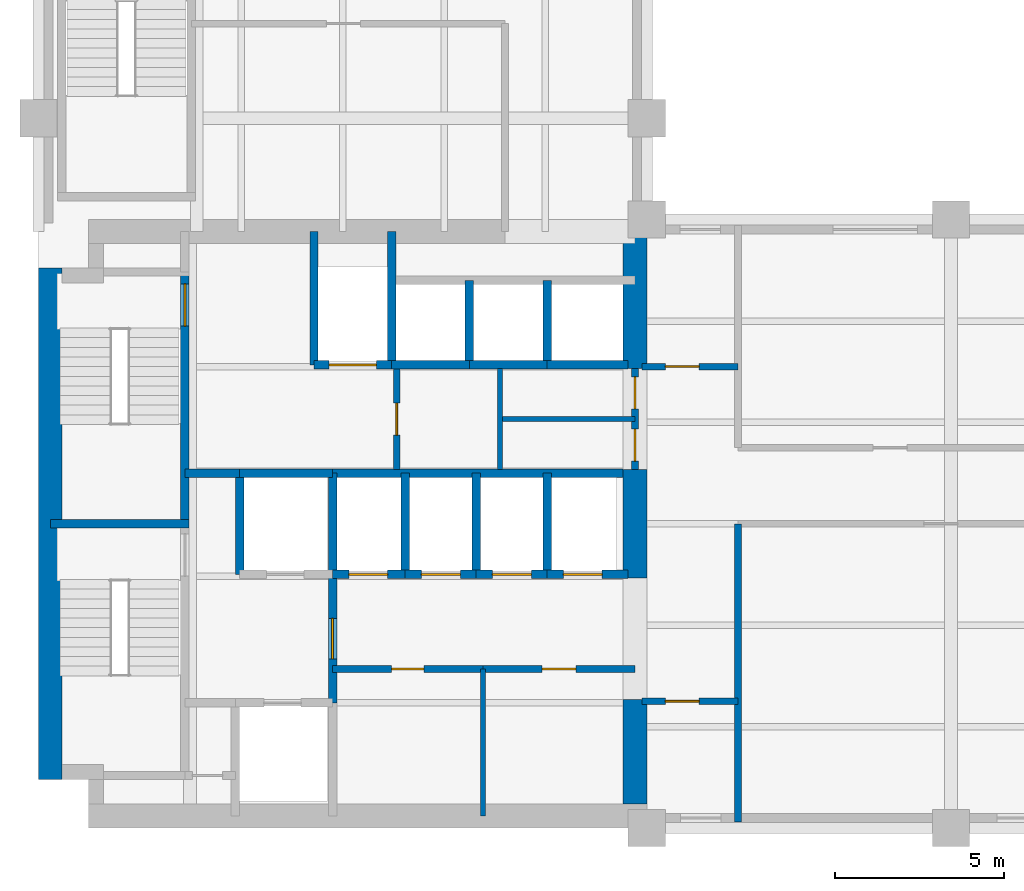
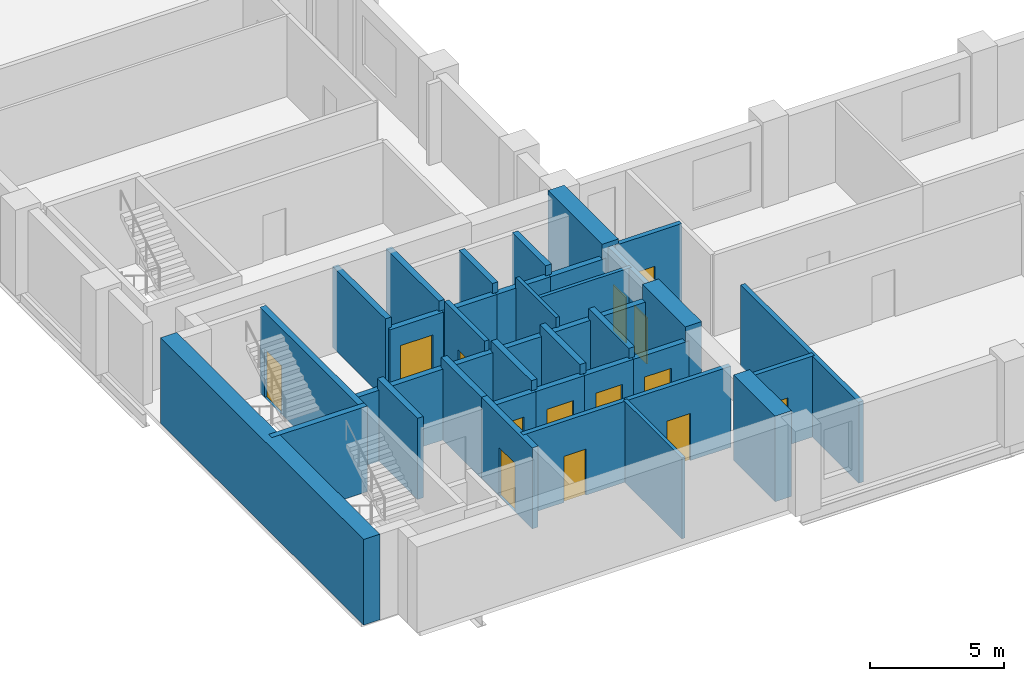
# One storey, part 3 of 7: 37 walls, 14 doors, 14 openings.
"""IFC4 building model written with IfcOpenShell, lengths in metres."""

from ifc_helpers import new_model, si_unit, direction, frame, frame_2d, origin, place, context, subcontext, project, spatial, rectangle, extrude, material, layer, layer_set, type_object, element, fill, save


model = new_model("IFC4")

# Units and contexts
model_context = context("Model", 3, precision=1e-05, world=origin(), true_north=direction((0.0, 1.0)))
body_context = subcontext(model_context, "Body", "Model", "MODEL_VIEW")
ifc_project = project(units=[si_unit("LENGTHUNIT", "METRE"), si_unit("AREAUNIT", "SQUARE_METRE"), si_unit("VOLUMEUNIT", "CUBIC_METRE"), si_unit("PLANEANGLEUNIT", "RADIAN"), si_unit("MASSUNIT", "GRAM", prefix="KILO")], contexts=[model_context])

# Site, building, storey
site_placement = place(None, origin())
site = spatial("IfcSite", under=ifc_project, at=site_placement, CompositionType="ELEMENT")
building_placement = place(site_placement, origin())
building = spatial("IfcBuilding", under=site, at=building_placement, Name="Mawjdan Bourse Tower", CompositionType="ELEMENT")
storey_placement = place(building_placement, frame((0.0, 0.0, 116.699951171875)))
storey = spatial("IfcBuildingStorey", under=building, at=storey_placement, Name="L27", CompositionType="ELEMENT", Elevation=116.699951171875)

# Wall, opening, door
ifc_material_1 = material(Name="Gypsum Fireboard Assembly")
ifc_layer_1 = layer(ifc_material_1, 0.199951171875)
ifc_layer_set_1 = layer_set([ifc_layer_1], Name="Gypsum Fireboard Assembly")
wall_type_1 = type_object("IfcWallType", Name="WL-CMP-200", PredefinedType="PARTITIONING", material=ifc_layer_set_1)
wall_1_placement = place(storey_placement, frame((14.699951171875, 7.699951171875, 0.0), z_axis=(0.0, 0.0, 1.0), x_axis=(1.0, 0.0, 0.0)))
wall_1 = element("IfcWall", 1, at=wall_1_placement, inside=storey, type_object=wall_type_1, Name="L27 Staff Tea Pantry North Wall", PredefinedType="PARTITIONING", context=body_context, shape_type="SweptSolid", body=[
    extrude(rectangle(XDim=4.449951171875, YDim=0.199951171875, at=frame_2d((2.22509765625, 0.0))), origin(), (0.0, 0.0, 1.0), 3.68994140625),
])
opening_1_placement = place(wall_1_placement, frame((1.75, 0.0, 0.0)))
opening_1 = element("IfcOpeningElement", 2, at=opening_1_placement, cuts=wall_1, Name="Opening D-L27-10", PredefinedType="OPENING", context=body_context, shape_type="SweptSolid", body=[
    extrude(rectangle(XDim=0.949951171875, YDim=2.10009765625, at=frame_2d((0.47509765625, 1.050048828125))), frame((0.0, 0.10986328125, 0.0), z_axis=(0.0, -1.0, 0.0), x_axis=(1.0, 0.0, 0.0)), (0.0, 0.0, 1.0), 0.219970703125),
])
ifc_material_2 = material(Name="Moisture-Resistant Laminate Timber", Category="wood")
door_type_1 = type_object("IfcDoorType", Name="DR-WET-0950", OperationType="NOTDEFINED", PredefinedType="DOOR", material=ifc_material_2)
door_1_placement = place(opening_1_placement, origin())
door_1 = element("IfcDoor", 3, at=door_1_placement, inside=storey, type_object=door_type_1, Name="L27 Staff Tea Pantry Door D-L27-10", OperationType="SINGLE_SWING_RIGHT", OverallHeight=2.10009765625, OverallWidth=0.949951171875, PredefinedType="DOOR", context=body_context, shape_type="SweptSolid", body=[
    extrude(rectangle(XDim=0.949951171875, YDim=2.10009765625, at=frame_2d((0.47509765625, 1.050048828125))), frame((0.0, 0.02490234375, 0.0), z_axis=(0.0, -1.0, 0.0), x_axis=(1.0, 0.0, 0.0)), (0.0, 0.0, 1.0), 0.050048828125),
])
fill(opening_1, door_1)

wall_2_placement = place(storey_placement, frame((19.14990234375, 7.699951171875, 0.0), z_axis=(0.0, 0.0, 1.0), x_axis=(1.0, 0.0, 0.0)))
wall_2 = element("IfcWall", 4, at=wall_2_placement, inside=storey, type_object=wall_type_1, Name="L27 Document Custody Office North Wall", PredefinedType="PARTITIONING", context=body_context, shape_type="SweptSolid", body=[
    extrude(rectangle(XDim=4.5, YDim=0.199951171875, at=frame_2d((2.25, 0.0))), origin(), (0.0, 0.0, 1.0), 3.68994140625),
])
opening_2_placement = place(wall_2_placement, frame((1.75, 0.0, 0.0)))
opening_2 = element("IfcOpeningElement", 5, at=opening_2_placement, cuts=wall_2, Name="Opening D-L27-11", PredefinedType="OPENING", context=body_context, shape_type="SweptSolid", body=[
    extrude(rectangle(XDim=1.0, YDim=2.14990234375, at=frame_2d((0.5, 1.074951171875))), frame((0.0, 0.10986328125, 0.0), z_axis=(0.0, -1.0, 0.0), x_axis=(1.0, 0.0, 0.0)), (0.0, 0.0, 1.0), 0.219970703125),
])
ifc_material_3 = material(Name="Hardwood Acoustic Leaf", Category="wood")
door_type_2 = type_object("IfcDoorType", Name="DR-OFC-1000", OperationType="NOTDEFINED", PredefinedType="DOOR", material=ifc_material_3)
door_2_placement = place(opening_2_placement, origin())
door_2 = element("IfcDoor", 6, at=door_2_placement, inside=storey, type_object=door_type_2, Name="L27 Document Custody Office Door D-L27-11", OperationType="SINGLE_SWING_LEFT", OverallHeight=2.14990234375, OverallWidth=1.0, PredefinedType="DOOR", context=body_context, shape_type="SweptSolid", body=[
    extrude(rectangle(XDim=1.0, YDim=2.14990234375, at=frame_2d((0.5, 1.074951171875))), frame((0.0, 0.02490234375, 0.0), z_axis=(0.0, -1.0, 0.0), x_axis=(1.0, 0.0, 0.0)), (0.0, 0.0, 1.0), 0.050048828125),
])
fill(opening_2, door_2)

wall_3_placement = place(storey_placement, frame((16.60009765625, 13.60009765625, 0.0), z_axis=(0.0, 0.0, 1.0), x_axis=(0.0, 1.0, 0.0)))
wall_3 = element("IfcWall", 7, at=wall_3_placement, inside=storey, type_object=wall_type_1, Name="L27 Core Restroom West Wall", PredefinedType="PARTITIONING", context=body_context, shape_type="SweptSolid", body=[
    extrude(rectangle(XDim=3.0, YDim=0.199951171875, at=frame_2d((1.5, 0.0))), origin(), (0.0, 0.0, 1.0), 3.68994140625),
])
opening_3_placement = place(wall_3_placement, frame((1.02001953125, 0.0, 0.0)))
opening_3 = element("IfcOpeningElement", 8, at=opening_3_placement, cuts=wall_3, Name="Opening D-L27-16", PredefinedType="OPENING", context=body_context, shape_type="SweptSolid", body=[
    extrude(rectangle(XDim=0.949951171875, YDim=2.10009765625, at=frame_2d((0.47509765625, 1.050048828125))), frame((0.0, 0.10986328125, 0.0), z_axis=(0.0, -1.0, 0.0), x_axis=(1.0, 0.0, 0.0)), (0.0, 0.0, 1.0), 0.219970703125),
])
door_3_placement = place(opening_3_placement, origin())
door_3 = element("IfcDoor", 9, at=door_3_placement, inside=storey, type_object=door_type_1, Name="L27 Male Restroom Entry Door D-L27-16", OperationType="SINGLE_SWING_RIGHT", OverallHeight=2.10009765625, OverallWidth=0.949951171875, PredefinedType="DOOR", context=body_context, shape_type="SweptSolid", body=[
    extrude(rectangle(XDim=0.949951171875, YDim=2.10009765625, at=frame_2d((0.47509765625, 1.050048828125))), frame((0.0, 0.02490234375, 0.0), z_axis=(0.0, -1.0, 0.0), x_axis=(1.0, 0.0, 0.0)), (0.0, 0.0, 1.0), 0.050048828125),
])
fill(opening_3, door_3)

# Wall, openings, doors
wall_4_placement = place(storey_placement, frame((23.64990234375, 13.60009765625, 0.0), z_axis=(0.0, 0.0, 1.0), x_axis=(0.0, 1.0, 0.0)))
wall_4 = element("IfcWall", 10, at=wall_4_placement, inside=storey, type_object=wall_type_1, Name="L27 Core Restroom East Enclosing Wall", PredefinedType="PARTITIONING", context=body_context, shape_type="SweptSolid", body=[
    extrude(rectangle(XDim=3.0, YDim=0.199951171875, at=frame_2d((1.5, 0.0))), origin(), (0.0, 0.0, 1.0), 3.68994140625),
])
opening_4_placement = place(wall_4_placement, frame((0.25, 0.0, 0.0)))
opening_4 = element("IfcOpeningElement", 11, at=opening_4_placement, cuts=wall_4, Name="Opening D-L27-17", PredefinedType="OPENING", context=body_context, shape_type="SweptSolid", body=[
    extrude(rectangle(XDim=0.949951171875, YDim=2.10009765625, at=frame_2d((0.47509765625, 1.050048828125))), frame((0.0, 0.10986328125, 0.0), z_axis=(0.0, -1.0, 0.0), x_axis=(1.0, 0.0, 0.0)), (0.0, 0.0, 1.0), 0.219970703125),
])
opening_5_placement = place(wall_4_placement, frame((1.800048828125, 0.0, 0.0)))
opening_5 = element("IfcOpeningElement", 12, at=opening_5_placement, cuts=wall_4, Name="Opening D-L27-18", PredefinedType="OPENING", context=body_context, shape_type="SweptSolid", body=[
    extrude(rectangle(XDim=0.949951171875, YDim=2.10009765625, at=frame_2d((0.47509765625, 1.050048828125))), frame((0.0, 0.10986328125, 0.0), z_axis=(0.0, -1.0, 0.0), x_axis=(1.0, 0.0, 0.0)), (0.0, 0.0, 1.0), 0.219970703125),
])
door_4_placement = place(opening_4_placement, origin())
door_4 = element("IfcDoor", 13, at=door_4_placement, inside=storey, type_object=door_type_1, Name="L27 Accessible WC East Entry Door D-L27-17", OperationType="SINGLE_SWING_LEFT", OverallHeight=2.10009765625, OverallWidth=0.949951171875, PredefinedType="DOOR", context=body_context, shape_type="SweptSolid", body=[
    extrude(rectangle(XDim=0.949951171875, YDim=2.10009765625, at=frame_2d((0.47509765625, 1.050048828125))), frame((0.0, 0.02490234375, 0.0), z_axis=(0.0, -1.0, 0.0), x_axis=(1.0, 0.0, 0.0)), (0.0, 0.0, 1.0), 0.050048828125),
])
fill(opening_4, door_4)
door_5_placement = place(opening_5_placement, origin())
door_5 = element("IfcDoor", 14, at=door_5_placement, inside=storey, type_object=door_type_1, Name="L27 Female Restroom East Entry Door D-L27-18", OperationType="SINGLE_SWING_RIGHT", OverallHeight=2.10009765625, OverallWidth=0.949951171875, PredefinedType="DOOR", context=body_context, shape_type="SweptSolid", body=[
    extrude(rectangle(XDim=0.949951171875, YDim=2.10009765625, at=frame_2d((0.47509765625, 1.050048828125))), frame((0.0, 0.02490234375, 0.0), z_axis=(0.0, -1.0, 0.0), x_axis=(1.0, 0.0, 0.0)), (0.0, 0.0, 1.0), 0.050048828125),
])
fill(opening_5, door_5)

# Wall, opening, door
wall_5_placement = place(storey_placement, frame((23.85009765625, 6.75, 0.0), z_axis=(0.0, 0.0, 1.0), x_axis=(1.0, 0.0, 0.0)))
wall_5 = element("IfcWall", 15, at=wall_5_placement, inside=storey, type_object=wall_type_1, Name="L27 West Pocket North Wall", PredefinedType="PARTITIONING", context=body_context, shape_type="SweptSolid", body=[
    extrude(rectangle(XDim=2.849853515625, YDim=0.199951171875, at=frame_2d((1.4248046875, 0.0))), origin(), (0.0, 0.0, 1.0), 3.68994140625),
])
opening_6_placement = place(wall_5_placement, frame((0.699951171875, 0.0, 0.0)))
opening_6 = element("IfcOpeningElement", 16, at=opening_6_placement, cuts=wall_5, Name="Opening D-L27-20", PredefinedType="OPENING", context=body_context, shape_type="SweptSolid", body=[
    extrude(rectangle(XDim=1.0, YDim=2.14990234375, at=frame_2d((0.5, 1.074951171875))), frame((0.0, 0.10986328125, 0.0), z_axis=(0.0, -1.0, 0.0), x_axis=(1.0, 0.0, 0.0)), (0.0, 0.0, 1.0), 0.219970703125),
])
door_6_placement = place(opening_6_placement, origin())
door_6 = element("IfcDoor", 17, at=door_6_placement, inside=storey, type_object=door_type_2, Name="L27 West Pocket Office Door D-L27-20", OperationType="SINGLE_SWING_RIGHT", OverallHeight=2.14990234375, OverallWidth=1.0, PredefinedType="DOOR", context=body_context, shape_type="SweptSolid", body=[
    extrude(rectangle(XDim=1.0, YDim=2.14990234375, at=frame_2d((0.5, 1.074951171875))), frame((0.0, 0.02490234375, 0.0), z_axis=(0.0, -1.0, 0.0), x_axis=(1.0, 0.0, 0.0)), (0.0, 0.0, 1.0), 0.050048828125),
])
fill(opening_6, door_6)

wall_6_placement = place(storey_placement, frame((23.85009765625, 16.64990234375, 0.0), z_axis=(0.0, 0.0, 1.0), x_axis=(1.0, 0.0, 0.0)))
wall_6 = element("IfcWall", 18, at=wall_6_placement, inside=storey, type_object=wall_type_1, Name="L27 West North Pocket Wall", PredefinedType="PARTITIONING", context=body_context, shape_type="SweptSolid", body=[
    extrude(rectangle(XDim=2.849853515625, YDim=0.199951171875, at=frame_2d((1.4248046875, 0.0))), origin(), (0.0, 0.0, 1.0), 3.68994140625),
])
opening_7_placement = place(wall_6_placement, frame((0.699951171875, 0.0, 0.0)))
opening_7 = element("IfcOpeningElement", 19, at=opening_7_placement, cuts=wall_6, Name="Opening D-L27-21", PredefinedType="OPENING", context=body_context, shape_type="SweptSolid", body=[
    extrude(rectangle(XDim=1.0, YDim=2.14990234375, at=frame_2d((0.5, 1.074951171875))), frame((0.0, 0.10986328125, 0.0), z_axis=(0.0, -1.0, 0.0), x_axis=(1.0, 0.0, 0.0)), (0.0, 0.0, 1.0), 0.219970703125),
])
door_7_placement = place(opening_7_placement, origin())
door_7 = element("IfcDoor", 20, at=door_7_placement, inside=storey, type_object=door_type_2, Name="L27 West North Pocket Door D-L27-21", OperationType="SINGLE_SWING_LEFT", OverallHeight=2.14990234375, OverallWidth=1.0, PredefinedType="DOOR", context=body_context, shape_type="SweptSolid", body=[
    extrude(rectangle(XDim=1.0, YDim=2.14990234375, at=frame_2d((0.5, 1.074951171875))), frame((0.0, 0.02490234375, 0.0), z_axis=(0.0, -1.0, 0.0), x_axis=(1.0, 0.0, 0.0)), (0.0, 0.0, 1.0), 0.050048828125),
])
fill(opening_7, door_7)

# Walls
wall_7_placement = place(storey_placement, frame((26.699951171875, 3.179931640625, 0.0), z_axis=(0.0, 0.0, 1.0), x_axis=(0.0, 1.0, 0.0)))
element("IfcWall", 21, at=wall_7_placement, inside=storey, type_object=wall_type_1, Name="L27 Vestibule South East Wall", PredefinedType="PARTITIONING", context=body_context, shape_type="SweptSolid", body=[
    extrude(rectangle(XDim=8.820068359375, YDim=0.199951171875, at=frame_2d((4.41015625, 0.0))), origin(), (0.0, 0.0, 1.0), 3.68994140625),
])
ifc_material_4 = material(Name="Concrete C70/85", Category="concrete")
ifc_layer_2 = layer(ifc_material_4, 0.699951171875)
ifc_layer_set_2 = layer_set([ifc_layer_2], Name="Concrete C70/85")
wall_type_2 = type_object("IfcWallType", Name="WL-CORE-700", PredefinedType="SHEAR", material=ifc_layer_set_2)
wall_8_placement = place(storey_placement, frame((6.35009765625, 4.425048828125, 0.0), z_axis=(0.0, 0.0, 1.0), x_axis=(0.0, 1.0, 0.0)))
element("IfcWall", 22, at=wall_8_placement, inside=storey, type_object=wall_type_2, Name="L27 Rear Core Shear Wall W", PredefinedType="SHEAR", context=body_context, shape_type="SweptSolid", body=[
    extrude(rectangle(XDim=15.14990234375, YDim=0.699951171875, at=frame_2d((7.574951171875, 0.0))), origin(), (0.0, 0.0, 1.0), 3.900146484375),
])
wall_9_placement = place(storey_placement, frame((23.64990234375, 3.699951171875, 0.0), z_axis=(0.0, 0.0, 1.0), x_axis=(0.0, 1.0, 0.0)))
element("IfcWall", 23, at=wall_9_placement, inside=storey, type_object=wall_type_2, Name="L27 Rear Core Shear Wall E1", PredefinedType="SHEAR", context=body_context, shape_type="SweptSolid", body=[
    extrude(rectangle(XDim=3.10009765625, YDim=0.699951171875, at=frame_2d((1.550048828125, 0.0))), origin(), (0.0, 0.0, 1.0), 3.900146484375),
])
wall_10_placement = place(storey_placement, frame((23.64990234375, 10.39990234375, 0.0), z_axis=(0.0, 0.0, 1.0), x_axis=(0.0, 1.0, 0.0)))
element("IfcWall", 24, at=wall_10_placement, inside=storey, type_object=wall_type_2, Name="L27 Rear Core Shear Wall E2", PredefinedType="SHEAR", context=body_context, shape_type="SweptSolid", body=[
    extrude(rectangle(XDim=3.2001953125, YDim=0.699951171875, at=frame_2d((1.60009765625, 0.0))), origin(), (0.0, 0.0, 1.0), 3.900146484375),
])
wall_11_placement = place(storey_placement, frame((23.64990234375, 16.60009765625, 0.0), z_axis=(0.0, 0.0, 1.0), x_axis=(0.0, 1.0, 0.0)))
element("IfcWall", 25, at=wall_11_placement, inside=storey, type_object=wall_type_2, Name="L27 Rear Core Shear Wall E3", PredefinedType="SHEAR", context=body_context, shape_type="SweptSolid", body=[
    extrude(rectangle(XDim=4.0498046875, YDim=0.699951171875, at=frame_2d((2.02490234375, 0.0))), origin(), (0.0, 0.0, 1.0), 3.900146484375),
])
ifc_material_5 = material(Name="Gypsum Acoustic Partition")
ifc_layer_3 = layer(ifc_material_5, 0.14990234375)
ifc_layer_set_3 = layer_set([ifc_layer_3], Name="Gypsum Acoustic Partition")
wall_type_3 = type_object("IfcWallType", Name="WL-PRT-150", PredefinedType="PARTITIONING", material=ifc_layer_set_3)
wall_12_placement = place(storey_placement, frame((19.14990234375, 3.35009765625, 0.0), z_axis=(0.0, 0.0, 1.0), x_axis=(0.0, 1.0, 0.0)))
element("IfcWall", 26, at=wall_12_placement, inside=storey, type_object=wall_type_3, Name="L27 Document Custody Office Core Split Wall", PredefinedType="PARTITIONING", context=body_context, shape_type="SweptSolid", body=[
    extrude(rectangle(XDim=4.349853515625, YDim=0.14990234375, at=frame_2d((2.1748046875, 0.0))), origin(), (0.0, 0.0, 1.0), 3.68994140625),
])
wall_13_placement = place(storey_placement, frame((19.64990234375, 13.60009765625, 0.0), z_axis=(0.0, 0.0, 1.0), x_axis=(0.0, 1.0, 0.0)))
element("IfcWall", 27, at=wall_13_placement, inside=storey, type_object=wall_type_3, Name="L27 Core Restroom Vertical Split", PredefinedType="PARTITIONING", context=body_context, shape_type="SweptSolid", body=[
    extrude(rectangle(XDim=3.0, YDim=0.14990234375, at=frame_2d((1.5, 0.0))), origin(), (0.0, 0.0, 1.0), 3.68994140625),
])
wall_14_placement = place(storey_placement, frame((19.64990234375, 15.10009765625, 0.0), z_axis=(0.0, 0.0, 1.0), x_axis=(1.0, 0.0, 0.0)))
element("IfcWall", 28, at=wall_14_placement, inside=storey, type_object=wall_type_3, Name="L27 Core Restroom East Horizontal Split", PredefinedType="PARTITIONING", context=body_context, shape_type="SweptSolid", body=[
    extrude(rectangle(XDim=4.0, YDim=0.14990234375, at=frame_2d((2.0, 0.0))), origin(), (0.0, 0.0, 1.0), 3.68994140625),
])
ifc_material_6 = material(Name="Concrete C50/60", Category="concrete")
ifc_layer_4 = layer(ifc_material_6, 0.25)
ifc_layer_set_4 = layer_set([ifc_layer_4], Name="Concrete C50/60")
wall_type_4 = type_object("IfcWallType", Name="WL-SHFT-250", PredefinedType="PARTITIONING", material=ifc_layer_set_4)
wall_15_placement = place(storey_placement, frame((11.949951171875, 10.5, 0.0), z_axis=(0.0, 0.0, 1.0), x_axis=(0.0, 1.0, 0.0)))
element("IfcWall", 29, at=wall_15_placement, inside=storey, type_object=wall_type_4, Name="L27 FFL-02 West Shaft Wall", PredefinedType="PARTITIONING", context=body_context, shape_type="SweptSolid", body=[
    extrude(rectangle(XDim=3.0, YDim=0.25, at=frame_2d((1.5, 0.0))), origin(), (0.0, 0.0, 1.0), 3.68994140625),
])
wall_16_placement = place(storey_placement, frame((11.949951171875, 13.5, 0.0), z_axis=(0.0, 0.0, 1.0), x_axis=(1.0, 0.0, 0.0)))
element("IfcWall", 30, at=wall_16_placement, inside=storey, type_object=wall_type_4, Name="L27 FFL-02 North Shaft Wall", PredefinedType="PARTITIONING", context=body_context, shape_type="SweptSolid", body=[
    extrude(rectangle(XDim=2.75, YDim=0.25, at=frame_2d((1.375, 0.0))), origin(), (0.0, 0.0, 1.0), 3.22705078125),
])
wall_17_placement = place(storey_placement, frame((14.699951171875, 10.5, 0.0), z_axis=(0.0, 0.0, 1.0), x_axis=(0.0, 1.0, 0.0)))
element("IfcWall", 31, at=wall_17_placement, inside=storey, type_object=wall_type_4, Name="L27 FFL-02 East Shaft Wall", PredefinedType="PARTITIONING", context=body_context, shape_type="SweptSolid", body=[
    extrude(rectangle(XDim=3.0, YDim=0.25, at=frame_2d((1.5, 0.0))), origin(), (0.0, 0.0, 1.0), 3.68994140625),
])

# Wall, opening, door
wall_18_placement = place(storey_placement, frame((14.699951171875, 6.699951171875, 0.0), z_axis=(0.0, 0.0, 1.0), x_axis=(0.0, 1.0, 0.0)))
wall_18 = element("IfcWall", 32, at=wall_18_placement, inside=storey, type_object=wall_type_4, Name="L27 Firefighting Lobby East Compartment Wall", PredefinedType="PARTITIONING", context=body_context, shape_type="SweptSolid", body=[
    extrude(rectangle(XDim=3.800048828125, YDim=0.25, at=frame_2d((1.89990234375, 0.0))), origin(), (0.0, 0.0, 1.0), 3.68994140625),
])
opening_8_placement = place(wall_18_placement, frame((1.300048828125, 0.0, 0.0)))
opening_8 = element("IfcOpeningElement", 33, at=opening_8_placement, cuts=wall_18, Name="Opening FD-L27-07", PredefinedType="OPENING", context=body_context, shape_type="SweptSolid", body=[
    extrude(rectangle(XDim=1.199951171875, YDim=2.199951171875, at=frame_2d((0.60009765625, 1.10009765625))), frame((0.0, 0.135009765625, 0.0), z_axis=(0.0, -1.0, 0.0), x_axis=(1.0, 0.0, 0.0)), (0.0, 0.0, 1.0), 0.27001953125),
])
ifc_material_7 = material(Name="Fire-Rated Steel Leaf", Category="steel")
door_type_3 = type_object("IfcDoorType", Name="FD-FFL-1200", OperationType="NOTDEFINED", PredefinedType="DOOR", material=ifc_material_7)
door_8_placement = place(opening_8_placement, origin())
door_8 = element("IfcDoor", 34, at=door_8_placement, inside=storey, type_object=door_type_3, Name="L27 Firefighting Lobby East Smoke Door FD-L27-07", OperationType="SINGLE_SWING_RIGHT", OverallHeight=2.199951171875, OverallWidth=1.199951171875, PredefinedType="DOOR", context=body_context, shape_type="SweptSolid", body=[
    extrude(rectangle(XDim=1.199951171875, YDim=2.199951171875, at=frame_2d((0.60009765625, 1.10009765625))), frame((0.0, 0.02490234375, 0.0), z_axis=(0.0, -1.0, 0.0), x_axis=(1.0, 0.0, 0.0)), (0.0, 0.0, 1.0), 0.050048828125),
])
fill(opening_8, door_8)

# Wall
wall_19_placement = place(storey_placement, frame((10.330078125, 13.5, 0.0), z_axis=(0.0, 0.0, 1.0), x_axis=(1.0, 0.0, 0.0)))
element("IfcWall", 35, at=wall_19_placement, inside=storey, type_object=wall_type_4, Name="L27 Firefighting Lobby North Compartment Wall", PredefinedType="PARTITIONING", context=body_context, shape_type="SweptSolid", body=[
    extrude(rectangle(XDim=1.619873046875, YDim=0.25, at=frame_2d((0.81005859375, 0.0))), origin(), (0.0, 0.0, 1.0), 3.22705078125),
])

# Wall, opening, door
wall_20_placement = place(storey_placement, frame((14.14990234375, 16.699951171875, 0.0), z_axis=(0.0, 0.0, 1.0), x_axis=(1.0, 0.0, 0.0)))
wall_20 = element("IfcWall", 36, at=wall_20_placement, inside=storey, type_object=wall_type_4, Name="L27 SVL-01 Front Shaft Wall", PredefinedType="PARTITIONING", context=body_context, shape_type="SweptSolid", body=[
    extrude(rectangle(XDim=2.300048828125, YDim=0.25, at=frame_2d((1.14990234375, 0.0))), origin(), (0.0, 0.0, 1.0), 3.22705078125),
])
opening_9_placement = place(wall_20_placement, frame((0.449951171875, 0.0, 0.0)))
opening_9 = element("IfcOpeningElement", 37, at=opening_9_placement, cuts=wall_20, Name="Opening LD-L27-09", PredefinedType="OPENING", context=body_context, shape_type="SweptSolid", body=[
    extrude(rectangle(XDim=1.39990234375, YDim=2.35009765625, at=frame_2d((0.699951171875, 1.175048828125))), frame((0.0, 0.135009765625, 0.0), z_axis=(0.0, -1.0, 0.0), x_axis=(1.0, 0.0, 0.0)), (0.0, 0.0, 1.0), 0.27001953125),
])
ifc_material_8 = material(Name="Heavy-Duty Stainless Steel", Category="steel")
door_type_4 = type_object("IfcDoorType", Name="LD-SRV-1400", OperationType="DOUBLE_DOOR_SLIDING", PredefinedType="DOOR", material=ifc_material_8)
door_9_placement = place(opening_9_placement, origin())
door_9 = element("IfcDoor", 38, at=door_9_placement, inside=storey, type_object=door_type_4, Name="L27 Service Lift SVL-01 Landing Door LD-L27-09", OperationType="DOUBLE_DOOR_SLIDING", OverallHeight=2.35009765625, OverallWidth=1.39990234375, PredefinedType="DOOR", context=body_context, shape_type="SweptSolid", body=[
    extrude(rectangle(XDim=1.39990234375, YDim=2.35009765625, at=frame_2d((0.699951171875, 1.175048828125))), frame((0.0, 0.02490234375, 0.0), z_axis=(0.0, -1.0, 0.0), x_axis=(1.0, 0.0, 0.0)), (0.0, 0.0, 1.0), 0.050048828125),
])
fill(opening_9, door_9)

# Walls
for number, where, z_axis, x_axis, name in (
    (39, (14.14990234375, 16.699951171875, 0.0), (0.0, 0.0, 1.0), (0.0, 1.0, 0.0), "L27 SVL-01 West Shaft Wall"),
    (40, (16.449951171875, 16.699951171875, 0.0), (0.0, 0.0, 1.0), (0.0, 1.0, 0.0), "L27 SVL-01 East Shaft Wall"),
):
    element("IfcWall", number, at=place(storey_placement, frame(where, z_axis=z_axis, x_axis=x_axis)), inside=storey, type_object=wall_type_4, Name=name, PredefinedType="PARTITIONING", context=body_context, shape_type="SweptSolid", body=[
        extrude(rectangle(XDim=3.949951171875, YDim=0.25, at=frame_2d((1.97509765625, 0.0))), origin(), (0.0, 0.0, 1.0), 3.68994140625),
    ])
wall_21_placement = place(storey_placement, frame((16.449951171875, 16.699951171875, 0.0), z_axis=(0.0, 0.0, 1.0), x_axis=(1.0, 0.0, 0.0)))
element("IfcWall", 41, at=wall_21_placement, inside=storey, type_object=wall_type_4, Name="L27 PH-01 Front Wall", PredefinedType="PARTITIONING", context=body_context, shape_type="SweptSolid", body=[
    extrude(rectangle(XDim=2.300048828125, YDim=0.25, at=frame_2d((1.14990234375, 0.0))), origin(), (0.0, 0.0, 1.0), 3.22705078125),
])
wall_22_placement = place(storey_placement, frame((18.75, 16.699951171875, 0.0), z_axis=(0.0, 0.0, 1.0), x_axis=(0.0, 1.0, 0.0)))
element("IfcWall", 42, at=wall_22_placement, inside=storey, type_object=wall_type_4, Name="L27 PH-01 Divider Wall", PredefinedType="PARTITIONING", context=body_context, shape_type="SweptSolid", body=[
    extrude(rectangle(XDim=2.5, YDim=0.25, at=frame_2d((1.25, 0.0))), origin(), (0.0, 0.0, 1.0), 3.68994140625),
])
wall_23_placement = place(storey_placement, frame((18.75, 16.699951171875, 0.0), z_axis=(0.0, 0.0, 1.0), x_axis=(1.0, 0.0, 0.0)))
element("IfcWall", 43, at=wall_23_placement, inside=storey, type_object=wall_type_4, Name="L27 PH-02 Front Wall", PredefinedType="PARTITIONING", context=body_context, shape_type="SweptSolid", body=[
    extrude(rectangle(XDim=2.300048828125, YDim=0.25, at=frame_2d((1.14990234375, 0.0))), origin(), (0.0, 0.0, 1.0), 3.22705078125),
])
wall_24_placement = place(storey_placement, frame((21.050048828125, 16.699951171875, 0.0), z_axis=(0.0, 0.0, 1.0), x_axis=(0.0, 1.0, 0.0)))
element("IfcWall", 44, at=wall_24_placement, inside=storey, type_object=wall_type_4, Name="L27 PH-02 Divider Wall", PredefinedType="PARTITIONING", context=body_context, shape_type="SweptSolid", body=[
    extrude(rectangle(XDim=2.5, YDim=0.25, at=frame_2d((1.25, 0.0))), origin(), (0.0, 0.0, 1.0), 3.68994140625),
])
wall_25_placement = place(storey_placement, frame((21.050048828125, 16.699951171875, 0.0), z_axis=(0.0, 0.0, 1.0), x_axis=(1.0, 0.0, 0.0)))
element("IfcWall", 45, at=wall_25_placement, inside=storey, type_object=wall_type_4, Name="L27 PH-03 Front Wall", PredefinedType="PARTITIONING", context=body_context, shape_type="SweptSolid", body=[
    extrude(rectangle(XDim=2.39990234375, YDim=0.25, at=frame_2d((1.199951171875, 0.0))), origin(), (0.0, 0.0, 1.0), 3.22705078125),
])

# Wall, opening, door
wall_26_placement = place(storey_placement, frame((14.699951171875, 10.5, 0.0), z_axis=(0.0, 0.0, 1.0), x_axis=(1.0, 0.0, 0.0)))
wall_26 = element("IfcWall", 46, at=wall_26_placement, inside=storey, type_object=wall_type_4, Name="L27 PM-01 Front Wall", PredefinedType="PARTITIONING", context=body_context, shape_type="SweptSolid", body=[
    extrude(rectangle(XDim=2.150146484375, YDim=0.25, at=frame_2d((1.0751953125, 0.0))), origin(), (0.0, 0.0, 1.0), 3.22705078125),
])
opening_10_placement = place(wall_26_placement, frame((0.47998046875, 0.0, 0.0)))
opening_10 = element("IfcOpeningElement", 47, at=opening_10_placement, cuts=wall_26, Name="Opening LD-L27-12", PredefinedType="OPENING", context=body_context, shape_type="SweptSolid", body=[
    extrude(rectangle(XDim=1.14990234375, YDim=2.25, at=frame_2d((0.574951171875, 1.125))), frame((0.0, 0.135009765625, 0.0), z_axis=(0.0, -1.0, 0.0), x_axis=(1.0, 0.0, 0.0)), (0.0, 0.0, 1.0), 0.27001953125),
])
ifc_material_9 = material(Name="Brushed Stainless Steel", Category="steel")
door_type_5 = type_object("IfcDoorType", Name="LD-PAS-1150", OperationType="DOUBLE_DOOR_SLIDING", PredefinedType="DOOR", material=ifc_material_9)
door_10_placement = place(opening_10_placement, origin())
door_10 = element("IfcDoor", 48, at=door_10_placement, inside=storey, type_object=door_type_5, Name="L27 Lift PM-01 Landing Door LD-L27-12", OperationType="DOUBLE_DOOR_SLIDING", OverallHeight=2.25, OverallWidth=1.14990234375, PredefinedType="DOOR", context=body_context, shape_type="SweptSolid", body=[
    extrude(rectangle(XDim=1.14990234375, YDim=2.25, at=frame_2d((0.574951171875, 1.125))), frame((0.0, 0.02490234375, 0.0), z_axis=(0.0, -1.0, 0.0), x_axis=(1.0, 0.0, 0.0)), (0.0, 0.0, 1.0), 0.050048828125),
])
fill(opening_10, door_10)

# Wall
wall_27_placement = place(storey_placement, frame((16.85009765625, 10.5, 0.0), z_axis=(0.0, 0.0, 1.0), x_axis=(0.0, 1.0, 0.0)))
element("IfcWall", 49, at=wall_27_placement, inside=storey, type_object=wall_type_4, Name="L27 PM-01 Divider Wall", PredefinedType="PARTITIONING", context=body_context, shape_type="SweptSolid", body=[
    extrude(rectangle(XDim=3.0, YDim=0.25, at=frame_2d((1.5, 0.0))), origin(), (0.0, 0.0, 1.0), 3.68994140625),
])

# Wall, opening, door
wall_28_placement = place(storey_placement, frame((16.85009765625, 10.5, 0.0), z_axis=(0.0, 0.0, 1.0), x_axis=(1.0, 0.0, 0.0)))
wall_28 = element("IfcWall", 50, at=wall_28_placement, inside=storey, type_object=wall_type_4, Name="L27 PM-02 Front Wall", PredefinedType="PARTITIONING", context=body_context, shape_type="SweptSolid", body=[
    extrude(rectangle(XDim=2.099853515625, YDim=0.25, at=frame_2d((1.0498046875, 0.0))), origin(), (0.0, 0.0, 1.0), 3.22705078125),
])
opening_11_placement = place(wall_28_placement, frame((0.47998046875, 0.0, 0.0)))
opening_11 = element("IfcOpeningElement", 51, at=opening_11_placement, cuts=wall_28, Name="Opening LD-L27-13", PredefinedType="OPENING", context=body_context, shape_type="SweptSolid", body=[
    extrude(rectangle(XDim=1.14990234375, YDim=2.25, at=frame_2d((0.574951171875, 1.125))), frame((0.0, 0.135009765625, 0.0), z_axis=(0.0, -1.0, 0.0), x_axis=(1.0, 0.0, 0.0)), (0.0, 0.0, 1.0), 0.27001953125),
])
door_11_placement = place(opening_11_placement, origin())
door_11 = element("IfcDoor", 52, at=door_11_placement, inside=storey, type_object=door_type_5, Name="L27 Lift PM-02 Landing Door LD-L27-13", OperationType="DOUBLE_DOOR_SLIDING", OverallHeight=2.25, OverallWidth=1.14990234375, PredefinedType="DOOR", context=body_context, shape_type="SweptSolid", body=[
    extrude(rectangle(XDim=1.14990234375, YDim=2.25, at=frame_2d((0.574951171875, 1.125))), frame((0.0, 0.02490234375, 0.0), z_axis=(0.0, -1.0, 0.0), x_axis=(1.0, 0.0, 0.0)), (0.0, 0.0, 1.0), 0.050048828125),
])
fill(opening_11, door_11)

# Wall
wall_29_placement = place(storey_placement, frame((18.949951171875, 10.5, 0.0), z_axis=(0.0, 0.0, 1.0), x_axis=(0.0, 1.0, 0.0)))
element("IfcWall", 53, at=wall_29_placement, inside=storey, type_object=wall_type_4, Name="L27 PM-02 Divider Wall", PredefinedType="PARTITIONING", context=body_context, shape_type="SweptSolid", body=[
    extrude(rectangle(XDim=3.0, YDim=0.25, at=frame_2d((1.5, 0.0))), origin(), (0.0, 0.0, 1.0), 3.68994140625),
])

# Wall, opening, door
wall_30_placement = place(storey_placement, frame((18.949951171875, 10.5, 0.0), z_axis=(0.0, 0.0, 1.0), x_axis=(1.0, 0.0, 0.0)))
wall_30 = element("IfcWall", 54, at=wall_30_placement, inside=storey, type_object=wall_type_4, Name="L27 PM-03 Front Wall", PredefinedType="PARTITIONING", context=body_context, shape_type="SweptSolid", body=[
    extrude(rectangle(XDim=2.10009765625, YDim=0.25, at=frame_2d((1.050048828125, 0.0))), origin(), (0.0, 0.0, 1.0), 3.22705078125),
])
opening_12_placement = place(wall_30_placement, frame((0.47998046875, 0.0, 0.0)))
opening_12 = element("IfcOpeningElement", 55, at=opening_12_placement, cuts=wall_30, Name="Opening LD-L27-14", PredefinedType="OPENING", context=body_context, shape_type="SweptSolid", body=[
    extrude(rectangle(XDim=1.14990234375, YDim=2.25, at=frame_2d((0.574951171875, 1.125))), frame((0.0, 0.135009765625, 0.0), z_axis=(0.0, -1.0, 0.0), x_axis=(1.0, 0.0, 0.0)), (0.0, 0.0, 1.0), 0.27001953125),
])
door_12_placement = place(opening_12_placement, origin())
door_12 = element("IfcDoor", 56, at=door_12_placement, inside=storey, type_object=door_type_5, Name="L27 Lift PM-03 Landing Door LD-L27-14", OperationType="DOUBLE_DOOR_SLIDING", OverallHeight=2.25, OverallWidth=1.14990234375, PredefinedType="DOOR", context=body_context, shape_type="SweptSolid", body=[
    extrude(rectangle(XDim=1.14990234375, YDim=2.25, at=frame_2d((0.574951171875, 1.125))), frame((0.0, 0.02490234375, 0.0), z_axis=(0.0, -1.0, 0.0), x_axis=(1.0, 0.0, 0.0)), (0.0, 0.0, 1.0), 0.050048828125),
])
fill(opening_12, door_12)

# Wall
wall_31_placement = place(storey_placement, frame((21.050048828125, 10.5, 0.0), z_axis=(0.0, 0.0, 1.0), x_axis=(0.0, 1.0, 0.0)))
element("IfcWall", 57, at=wall_31_placement, inside=storey, type_object=wall_type_4, Name="L27 PM-03 Divider Wall", PredefinedType="PARTITIONING", context=body_context, shape_type="SweptSolid", body=[
    extrude(rectangle(XDim=3.0, YDim=0.25, at=frame_2d((1.5, 0.0))), origin(), (0.0, 0.0, 1.0), 3.68994140625),
])

# Wall, opening, door
wall_32_placement = place(storey_placement, frame((21.050048828125, 10.5, 0.0), z_axis=(0.0, 0.0, 1.0), x_axis=(1.0, 0.0, 0.0)))
wall_32 = element("IfcWall", 58, at=wall_32_placement, inside=storey, type_object=wall_type_4, Name="L27 PM-04 Front Wall", PredefinedType="PARTITIONING", context=body_context, shape_type="SweptSolid", body=[
    extrude(rectangle(XDim=2.39990234375, YDim=0.25, at=frame_2d((1.199951171875, 0.0))), origin(), (0.0, 0.0, 1.0), 3.22705078125),
])
opening_13_placement = place(wall_32_placement, frame((0.47998046875, 0.0, 0.0)))
opening_13 = element("IfcOpeningElement", 59, at=opening_13_placement, cuts=wall_32, Name="Opening LD-L27-15", PredefinedType="OPENING", context=body_context, shape_type="SweptSolid", body=[
    extrude(rectangle(XDim=1.14990234375, YDim=2.25, at=frame_2d((0.574951171875, 1.125))), frame((0.0, 0.135009765625, 0.0), z_axis=(0.0, -1.0, 0.0), x_axis=(1.0, 0.0, 0.0)), (0.0, 0.0, 1.0), 0.27001953125),
])
door_13_placement = place(opening_13_placement, origin())
door_13 = element("IfcDoor", 60, at=door_13_placement, inside=storey, type_object=door_type_5, Name="L27 Lift PM-04 Landing Door LD-L27-15", OperationType="DOUBLE_DOOR_SLIDING", OverallHeight=2.25, OverallWidth=1.14990234375, PredefinedType="DOOR", context=body_context, shape_type="SweptSolid", body=[
    extrude(rectangle(XDim=1.14990234375, YDim=2.25, at=frame_2d((0.574951171875, 1.125))), frame((0.0, 0.02490234375, 0.0), z_axis=(0.0, -1.0, 0.0), x_axis=(1.0, 0.0, 0.0)), (0.0, 0.0, 1.0), 0.050048828125),
])
fill(opening_13, door_13)

# Walls
wall_33_placement = place(storey_placement, frame((14.699951171875, 13.5, 0.0), z_axis=(0.0, 0.0, 1.0), x_axis=(1.0, 0.0, 0.0)))
element("IfcWall", 61, at=wall_33_placement, inside=storey, type_object=wall_type_4, Name="L27 PM Bank North Shaft Back Wall", PredefinedType="PARTITIONING", context=body_context, shape_type="SweptSolid", body=[
    extrude(rectangle(XDim=8.949951171875, YDim=0.25, at=frame_2d((4.47509765625, 0.0))), origin(), (0.0, 0.0, 1.0), 3.22705078125),
])
ifc_layer_5 = layer(ifc_material_6, 0.25)
ifc_layer_set_5 = layer_set([ifc_layer_5], Name="Concrete C50/60")
wall_type_5 = type_object("IfcWallType", Name="WL-STRW-250", PredefinedType="SHEAR", material=ifc_layer_set_5)
wall_34_placement = place(storey_placement, frame((6.35009765625, 12.0, 0.0), z_axis=(0.0, 0.0, 1.0), x_axis=(1.0, 0.0, 0.0)))
element("IfcWall", 62, at=wall_34_placement, inside=storey, type_object=wall_type_5, Name="L27 Stairwell Dividing Shaft Wall", PredefinedType="SHEAR", context=body_context, shape_type="SweptSolid", body=[
    extrude(rectangle(XDim=4.10498046875, YDim=0.25, at=frame_2d((2.052490234375, 0.0))), origin(), (0.0, 0.0, 1.0), 3.900146484375),
])

# Wall, opening, door
wall_35_placement = place(storey_placement, frame((10.330078125, 12.0, 0.0), z_axis=(0.0, 0.0, 1.0), x_axis=(0.0, 1.0, 0.0)))
wall_35 = element("IfcWall", 63, at=wall_35_placement, inside=storey, type_object=wall_type_5, Name="L27 Stairwell ST2 East Enclosure Wall", PredefinedType="SHEAR", context=body_context, shape_type="SweptSolid", body=[
    extrude(rectangle(XDim=7.449951171875, YDim=0.25, at=frame_2d((3.72509765625, 0.0))), origin(), (0.0, 0.0, 1.0), 3.900146484375),
])
opening_14_placement = place(wall_35_placement, frame((5.85009765625, 0.0, 0.0)))
opening_14 = element("IfcOpeningElement", 64, at=opening_14_placement, cuts=wall_35, Name="Opening SD-L27-02", PredefinedType="OPENING", context=body_context, shape_type="SweptSolid", body=[
    extrude(rectangle(XDim=1.25, YDim=2.199951171875, at=frame_2d((0.625, 1.10009765625))), frame((0.0, 0.135009765625, 0.0), z_axis=(0.0, -1.0, 0.0), x_axis=(1.0, 0.0, 0.0)), (0.0, 0.0, 1.0), 0.27001953125),
])
door_type_6 = type_object("IfcDoorType", Name="FD-ST-1250", OperationType="NOTDEFINED", PredefinedType="DOOR", material=ifc_material_7)
door_14_placement = place(opening_14_placement, origin())
door_14 = element("IfcDoor", 65, at=door_14_placement, inside=storey, type_object=door_type_6, Name="L27 Exit Stair ST2 Fire Door SD-L27-02", OperationType="SINGLE_SWING_LEFT", OverallHeight=2.199951171875, OverallWidth=1.25, PredefinedType="DOOR", context=body_context, shape_type="SweptSolid", body=[
    extrude(rectangle(XDim=1.25, YDim=2.199951171875, at=frame_2d((0.625, 1.10009765625))), frame((0.0, 0.02490234375, 0.0), z_axis=(0.0, -1.0, 0.0), x_axis=(1.0, 0.0, 0.0)), (0.0, 0.0, 1.0), 0.050048828125),
])
fill(opening_14, door_14)

save(model, "model.ifc")
